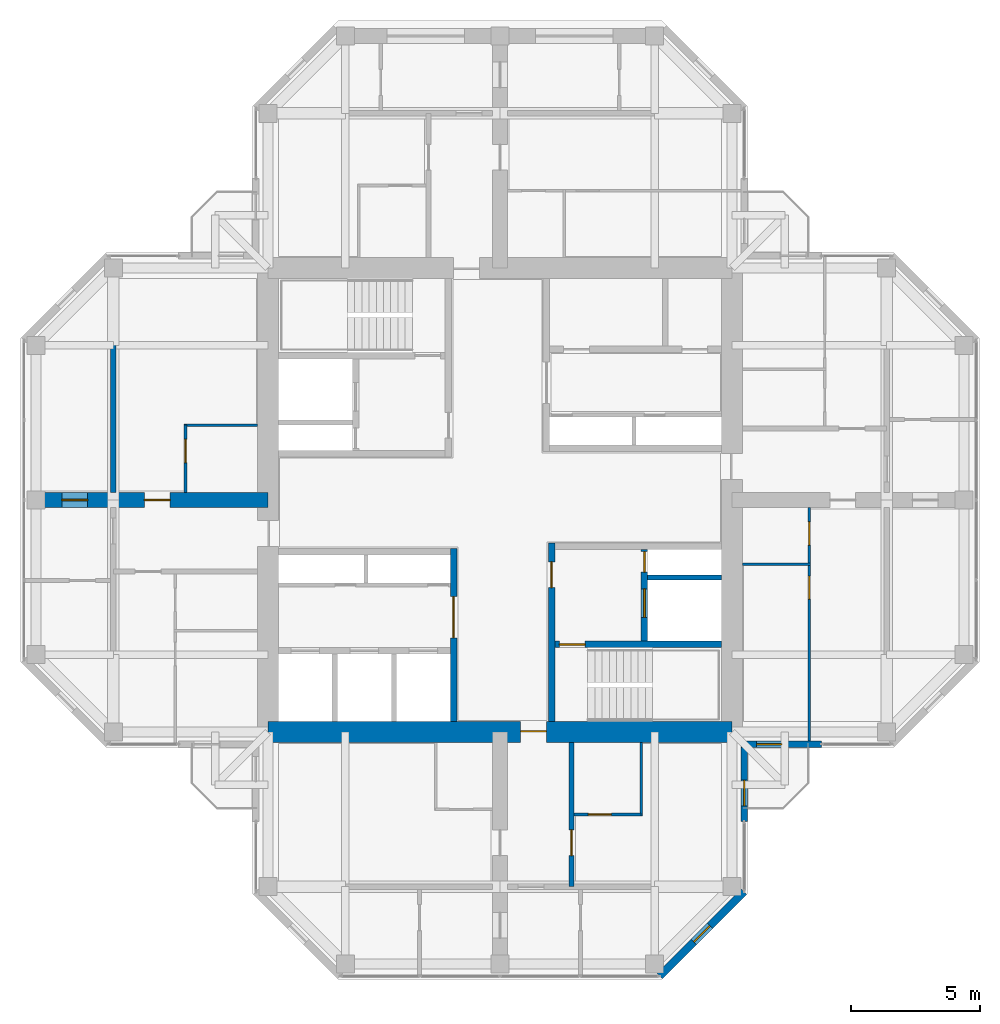
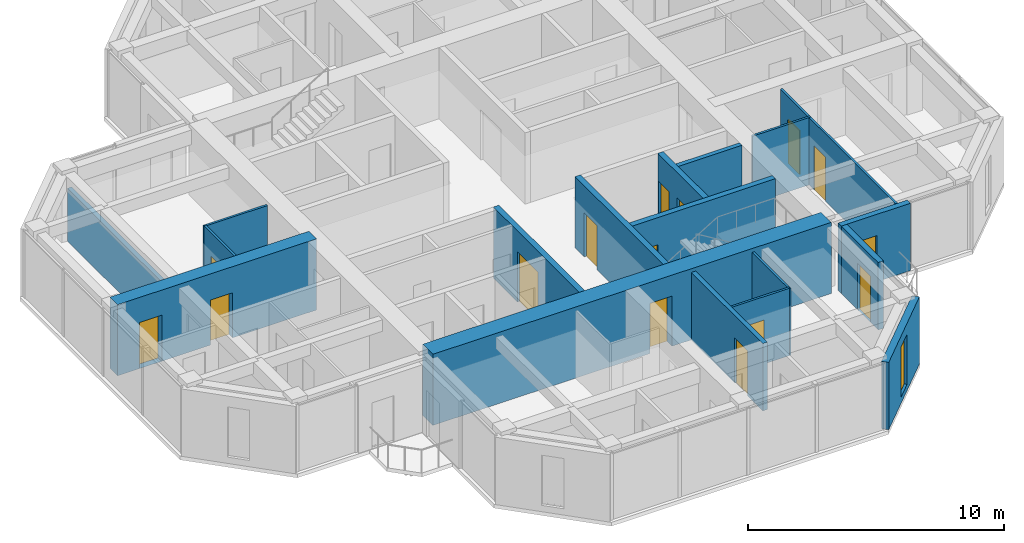
# One storey, part 9 of 13: 18 walls, 15 doors, 1 window, 16 openings.
"""IFC4 building model written with IfcOpenShell, lengths in metres."""

from ifc_helpers import new_model, si_unit, direction, frame, frame_2d, origin, place, context, subcontext, project, spatial, rectangle, hollow_rectangle, extrude, material, layer, layer_set, constituent, constituent_set, type_object, element, fill, save


model = new_model("IFC4")

# Units and contexts
model_context = context("Model", 3, precision=1e-05, world=origin(), true_north=direction((0.0, 1.0)))
body_context = subcontext(model_context, "Body", "Model", "MODEL_VIEW")
ifc_project = project(units=[si_unit("LENGTHUNIT", "METRE"), si_unit("AREAUNIT", "SQUARE_METRE"), si_unit("VOLUMEUNIT", "CUBIC_METRE"), si_unit("PLANEANGLEUNIT", "RADIAN"), si_unit("MASSUNIT", "GRAM", prefix="KILO")], contexts=[model_context])

# Site, building, storey
site_placement = place(None, origin())
site = spatial("IfcSite", under=ifc_project, at=site_placement, CompositionType="ELEMENT")
building_placement = place(site_placement, origin())
building = spatial("IfcBuilding", under=site, at=building_placement, Name="Torre Cruceta", CompositionType="ELEMENT")
storey_placement = place(building_placement, frame((0.0, 0.0, 281.5)))
storey = spatial("IfcBuildingStorey", under=building, at=storey_placement, Name="L73", CompositionType="ELEMENT", Elevation=281.5)

# Wall
ifc_material_1 = material(Name="Water-resistant plasterboard on steel studs", Category="steel")
ifc_layer_1 = layer(ifc_material_1, 0.10009765625)
ifc_layer_set_1 = layer_set([ifc_layer_1], Name="Water-resistant plasterboard on steel studs")
wall_type_1 = type_object("IfcWallType", Name="BATHROOM WALL 100", PredefinedType="PARTITIONING", material=ifc_layer_set_1)
wall_1_placement = place(storey_placement, frame((9.39990234375, -2.5, 0.0), z_axis=(0.0, 0.0, 1.0), x_axis=(1.0, 0.0, 0.0)))
element("IfcWall", 1, at=wall_1_placement, inside=storey, type_object=wall_type_1, Name="PT4 L73-E-U1RBB", PredefinedType="PARTITIONING", context=body_context, shape_type="SweptSolid", body=[
    extrude(rectangle(XDim=2.650146484375, YDim=0.10009765625, at=frame_2d((1.3251953125, 0.0))), origin(), (0.0, 0.0, 1.0), 3.219970703125),
])

# Wall, openings, doors
wall_2_placement = place(storey_placement, frame((12.0, -9.344970703125, 0.0), z_axis=(0.0, 0.0, 1.0), x_axis=(0.0, 1.0, 0.0)))
wall_2 = element("IfcWall", 2, at=wall_2_placement, inside=storey, type_object=wall_type_1, Name="PT4 L73-E-U1RBS", PredefinedType="PARTITIONING", context=body_context, shape_type="SweptSolid", body=[
    extrude(rectangle(XDim=9.044921875, YDim=0.10009765625, at=frame_2d((4.5224609375, 0.0))), origin(), (0.0, 0.0, 1.0), 3.219970703125),
])
opening_1_placement = place(wall_2_placement, frame((5.4951171875, 0.0, 0.0)))
opening_1 = element("IfcOpeningElement", 3, at=opening_1_placement, cuts=wall_2, Name="Opening D7", PredefinedType="OPENING", context=body_context, shape_type="SweptSolid", body=[
    extrude(rectangle(XDim=0.89990234375, YDim=2.10009765625, at=frame_2d((0.449951171875, 1.050048828125))), frame((0.0, 0.06005859375, 0.0), z_axis=(0.0, -1.0, 0.0), x_axis=(1.0, 0.0, 0.0)), (0.0, 0.0, 1.0), 0.1201171875),
])
opening_2_placement = place(wall_2_placement, frame((7.594970703125, 0.0, 0.0)))
opening_2 = element("IfcOpeningElement", 4, at=opening_2_placement, cuts=wall_2, Name="Opening D7", PredefinedType="OPENING", context=body_context, shape_type="SweptSolid", body=[
    extrude(rectangle(XDim=0.89990234375, YDim=2.10009765625, at=frame_2d((0.449951171875, 1.050048828125))), frame((0.0, 0.06005859375, 0.0), z_axis=(0.0, -1.0, 0.0), x_axis=(1.0, 0.0, 0.0)), (0.0, 0.0, 1.0), 0.1201171875),
])
ifc_material_2 = material(Name="Timber door", Category="wood")
door_type_1 = type_object("IfcDoorType", Name="BATHROOM DOOR 900X2100", OperationType="SINGLE_SWING_LEFT", PredefinedType="DOOR", material=ifc_material_2)
door_1_placement = place(opening_1_placement, origin())
door_1 = element("IfcDoor", 5, at=door_1_placement, inside=storey, type_object=door_type_1, Name="D7 L73-E-U1RBS-D1", OperationType="SINGLE_SWING_RIGHT", OverallHeight=2.10009765625, OverallWidth=0.89990234375, PredefinedType="DOOR", context=body_context, shape_type="SweptSolid", body=[
    extrude(rectangle(XDim=0.89990234375, YDim=2.10009765625, at=frame_2d((0.449951171875, 1.050048828125))), frame((0.0, 0.02490234375, 0.0), z_axis=(0.0, -1.0, 0.0), x_axis=(1.0, 0.0, 0.0)), (0.0, 0.0, 1.0), 0.050048828125),
])
fill(opening_1, door_1)
door_2_placement = place(opening_2_placement, origin())
door_2 = element("IfcDoor", 6, at=door_2_placement, inside=storey, type_object=door_type_1, Name="D7 L73-E-U1RBS-D2", OperationType="SINGLE_SWING_RIGHT", OverallHeight=2.10009765625, OverallWidth=0.89990234375, PredefinedType="DOOR", context=body_context, shape_type="SweptSolid", body=[
    extrude(rectangle(XDim=0.89990234375, YDim=2.10009765625, at=frame_2d((0.449951171875, 1.050048828125))), frame((0.0, 0.02490234375, 0.0), z_axis=(0.0, -1.0, 0.0), x_axis=(1.0, 0.0, 0.0)), (0.0, 0.0, 1.0), 0.050048828125),
])
fill(opening_2, door_2)

# Wall
wall_3_placement = place(storey_placement, frame((5.47509765625, -9.39990234375, 0.0), z_axis=(0.0, 0.0, 1.0), x_axis=(0.0, -1.0, 0.0)))
element("IfcWall", 7, at=wall_3_placement, inside=storey, type_object=wall_type_1, Name="PT4 L73-S-U1LBB", PredefinedType="PARTITIONING", context=body_context, shape_type="SweptSolid", body=[
    extrude(rectangle(XDim=2.85009765625, YDim=0.10009765625, at=frame_2d((1.425048828125, 0.0))), origin(), (0.0, 0.0, 1.0), 3.219970703125),
])

# Wall, opening, door
wall_4_placement = place(storey_placement, frame((2.875, -12.199951171875, 0.0), z_axis=(0.0, 0.0, 1.0), x_axis=(1.0, 0.0, 0.0)))
wall_4 = element("IfcWall", 8, at=wall_4_placement, inside=storey, type_object=wall_type_1, Name="PT4 L73-S-U1LBS", PredefinedType="PARTITIONING", context=body_context, shape_type="SweptSolid", body=[
    extrude(rectangle(XDim=2.60009765625, YDim=0.10009765625, at=frame_2d((1.300048828125, 0.0))), origin(), (0.0, 0.0, 1.0), 3.219970703125),
])
opening_3_placement = place(wall_4_placement, frame((0.550048828125, 0.0, 0.0)))
opening_3 = element("IfcOpeningElement", 9, at=opening_3_placement, cuts=wall_4, Name="Opening D7", PredefinedType="OPENING", context=body_context, shape_type="SweptSolid", body=[
    extrude(rectangle(XDim=0.89990234375, YDim=2.10009765625, at=frame_2d((0.449951171875, 1.050048828125))), frame((0.0, 0.06005859375, 0.0), z_axis=(0.0, -1.0, 0.0), x_axis=(1.0, 0.0, 0.0)), (0.0, 0.0, 1.0), 0.1201171875),
])
door_3_placement = place(opening_3_placement, origin())
door_3 = element("IfcDoor", 10, at=door_3_placement, inside=storey, type_object=door_type_1, Name="D7 L73-S-U1LBS-D1", OperationType="SINGLE_SWING_LEFT", OverallHeight=2.10009765625, OverallWidth=0.89990234375, PredefinedType="DOOR", context=body_context, shape_type="SweptSolid", body=[
    extrude(rectangle(XDim=0.89990234375, YDim=2.10009765625, at=frame_2d((0.449951171875, 1.050048828125))), frame((0.0, 0.02490234375, 0.0), z_axis=(0.0, -1.0, 0.0), x_axis=(1.0, 0.0, 0.0)), (0.0, 0.0, 1.0), 0.050048828125),
])
fill(opening_3, door_3)

# Wall
wall_5_placement = place(storey_placement, frame((-9.39990234375, 2.89990234375, 0.0), z_axis=(0.0, 0.0, 1.0), x_axis=(-1.0, 0.0, 0.0)))
element("IfcWall", 11, at=wall_5_placement, inside=storey, type_object=wall_type_1, Name="PT4 L73-W-U1RBB", PredefinedType="PARTITIONING", context=body_context, shape_type="SweptSolid", body=[
    extrude(rectangle(XDim=2.85009765625, YDim=0.10009765625, at=frame_2d((1.425048828125, 0.0))), origin(), (0.0, 0.0, 1.0), 3.219970703125),
])

# Wall, opening, door
wall_6_placement = place(storey_placement, frame((-12.199951171875, 2.89990234375, 0.0), z_axis=(0.0, 0.0, 1.0), x_axis=(0.0, -1.0, 0.0)))
wall_6 = element("IfcWall", 12, at=wall_6_placement, inside=storey, type_object=wall_type_1, Name="PT4 L73-W-U1RBS", PredefinedType="PARTITIONING", context=body_context, shape_type="SweptSolid", body=[
    extrude(rectangle(XDim=2.599853515625, YDim=0.10009765625, at=frame_2d((1.2998046875, 0.0))), origin(), (0.0, 0.0, 1.0), 3.219970703125),
])
opening_4_placement = place(wall_6_placement, frame((0.550048828125, 0.0, 0.0)))
opening_4 = element("IfcOpeningElement", 13, at=opening_4_placement, cuts=wall_6, Name="Opening D7", PredefinedType="OPENING", context=body_context, shape_type="SweptSolid", body=[
    extrude(rectangle(XDim=0.89990234375, YDim=2.10009765625, at=frame_2d((0.449951171875, 1.050048828125))), frame((0.0, 0.06005859375, 0.0), z_axis=(0.0, -1.0, 0.0), x_axis=(1.0, 0.0, 0.0)), (0.0, 0.0, 1.0), 0.1201171875),
])
door_4_placement = place(opening_4_placement, origin())
door_4 = element("IfcDoor", 14, at=door_4_placement, inside=storey, type_object=door_type_1, Name="D7 L73-W-U1RBS-D1", OperationType="SINGLE_SWING_LEFT", OverallHeight=2.10009765625, OverallWidth=0.89990234375, PredefinedType="DOOR", context=body_context, shape_type="SweptSolid", body=[
    extrude(rectangle(XDim=0.89990234375, YDim=2.10009765625, at=frame_2d((0.449951171875, 1.050048828125))), frame((0.0, 0.02490234375, 0.0), z_axis=(0.0, -1.0, 0.0), x_axis=(1.0, 0.0, 0.0)), (0.0, 0.0, 1.0), 0.050048828125),
])
fill(opening_4, door_4)

ifc_material_3 = material(Name="Concrete G60 (fck 60 MPa)", Category="concrete")
ifc_layer_2 = layer(ifc_material_3, 0.25)
ifc_layer_set_2 = layer_set([ifc_layer_2], Name="Concrete G60 (fck 60 MPa)")
wall_type_2 = type_object("IfcWallType", Name="CORE INNER WALL 250 G60", PredefinedType="SHEAR", material=ifc_layer_set_2)
wall_7_placement = place(storey_placement, frame((-1.800048828125, -1.875, 0.0), z_axis=(0.0, 0.0, 1.0), x_axis=(0.0, -1.0, 0.0)))
wall_7 = element("IfcWall", 15, at=wall_7_placement, inside=storey, type_object=wall_type_2, Name="CW4 L73 SW-CU", PredefinedType="SHEAR", context=body_context, shape_type="SweptSolid", body=[
    extrude(rectangle(XDim=6.72509765625, YDim=0.25, at=frame_2d((3.362548828125, 0.0))), origin(), (0.0, 0.0, 1.0), 3.39990234375),
])
opening_5_placement = place(wall_7_placement, frame((1.875, 0.0, 0.0)))
opening_5 = element("IfcOpeningElement", 16, at=opening_5_placement, cuts=wall_7, Name="Opening D8", PredefinedType="OPENING", context=body_context, shape_type="SweptSolid", body=[
    extrude(rectangle(XDim=1.60009765625, YDim=2.39990234375, at=frame_2d((0.800048828125, 1.199951171875))), frame((0.0, 0.135009765625, 0.0), z_axis=(0.0, -1.0, 0.0), x_axis=(1.0, 0.0, 0.0)), (0.0, 0.0, 1.0), 0.27001953125),
])
ifc_material_4 = material(Name="Steel DX51D", Category="steel")
ifc_constituent_1 = constituent(ifc_material_4, Name="Leaf and frame")
ifc_material_5 = material(Name="Polyester powder coating", Category="paint")
ifc_constituent_2 = constituent(ifc_material_5, Name="Finish")
ifc_material_6 = material(Name="Fire-resisting glass", Category="glass")
ifc_constituent_3 = constituent(ifc_material_6, Name="Vision panel")
ifc_constituent_set_1 = constituent_set(constituents=[ifc_constituent_1, ifc_constituent_2, ifc_constituent_3], Name="Steel fire door with vision panels")
door_type_2 = type_object("IfcDoorType", Name="LIFT LOBBY DOUBLE DOOR 1600X2400", OperationType="DOUBLE_DOOR_DOUBLE_SWING", PredefinedType="DOOR", material=ifc_constituent_set_1)
door_5_placement = place(opening_5_placement, origin())
door_5 = element("IfcDoor", 17, at=door_5_placement, inside=storey, type_object=door_type_2, Name="D8 L73 SW-LOBBY", OperationType="DOUBLE_DOOR_DOUBLE_SWING", OverallHeight=2.39990234375, OverallWidth=1.60009765625, PredefinedType="DOOR", context=body_context, shape_type="SweptSolid", body=[
    extrude(rectangle(XDim=1.60009765625, YDim=2.39990234375, at=frame_2d((0.800048828125, 1.199951171875))), frame((0.0, 0.02490234375, 0.0), z_axis=(0.0, -1.0, 0.0), x_axis=(1.0, 0.0, 0.0)), (0.0, 0.0, 1.0), 0.050048828125),
])
fill(opening_5, door_5)

wall_8_placement = place(storey_placement, frame((2.0, -1.675048828125, 0.0), z_axis=(0.0, 0.0, 1.0), x_axis=(0.0, -1.0, 0.0)))
wall_8 = element("IfcWall", 18, at=wall_8_placement, inside=storey, type_object=wall_type_2, Name="CW4 L73 SE-CU", PredefinedType="SHEAR", context=body_context, shape_type="SweptSolid", body=[
    extrude(rectangle(XDim=6.925048828125, YDim=0.25, at=frame_2d((3.46240234375, 0.0))), origin(), (0.0, 0.0, 1.0), 3.39990234375),
])
opening_6_placement = place(wall_8_placement, frame((0.72509765625, 0.0, 0.0)))
opening_6 = element("IfcOpeningElement", 19, at=opening_6_placement, cuts=wall_8, Name="Opening D3", PredefinedType="OPENING", context=body_context, shape_type="SweptSolid", body=[
    extrude(rectangle(XDim=1.0, YDim=2.10009765625, at=frame_2d((0.5, 1.050048828125))), frame((0.0, 0.135009765625, 0.0), z_axis=(0.0, -1.0, 0.0), x_axis=(1.0, 0.0, 0.0)), (0.0, 0.0, 1.0), 0.27001953125),
])
ifc_material_7 = material(Name="Steel DX51D", Category="steel")
ifc_constituent_4 = constituent(ifc_material_7, Name="Leaf and frame")
ifc_material_8 = material(Name="Polyester powder coating", Category="paint")
ifc_constituent_5 = constituent(ifc_material_8, Name="Finish")
ifc_constituent_set_2 = constituent_set(constituents=[ifc_constituent_4, ifc_constituent_5], Name="Steel fire door")
door_type_3 = type_object("IfcDoorType", Name="FIRE DOOR 1000X2100", OperationType="SINGLE_SWING_LEFT", PredefinedType="DOOR", material=ifc_constituent_set_2)
door_6_placement = place(opening_6_placement, origin())
door_6 = element("IfcDoor", 20, at=door_6_placement, inside=storey, type_object=door_type_3, Name="D3 L73 SE-LOBBY", OperationType="SINGLE_SWING_LEFT", OverallHeight=2.10009765625, OverallWidth=1.0, PredefinedType="DOOR", context=body_context, shape_type="SweptSolid", body=[
    extrude(rectangle(XDim=1.0, YDim=2.10009765625, at=frame_2d((0.5, 1.050048828125))), frame((0.0, 0.02490234375, 0.0), z_axis=(0.0, -1.0, 0.0), x_axis=(1.0, 0.0, 0.0)), (0.0, 0.0, 1.0), 0.050048828125),
])
fill(opening_6, door_6)

wall_9_placement = place(storey_placement, frame((2.125, -5.60009765625, 0.0), z_axis=(0.0, 0.0, 1.0), x_axis=(1.0, 0.0, 0.0)))
wall_9 = element("IfcWall", 21, at=wall_9_placement, inside=storey, type_object=wall_type_2, Name="CW4 L73 SE-SV", PredefinedType="SHEAR", context=body_context, shape_type="SweptSolid", body=[
    extrude(rectangle(XDim=6.47509765625, YDim=0.25, at=frame_2d((3.237548828125, 0.0))), origin(), (0.0, 0.0, 1.0), 3.39990234375),
])
opening_7_placement = place(wall_9_placement, frame((0.175048828125, 0.0, 0.0)))
opening_7 = element("IfcOpeningElement", 22, at=opening_7_placement, cuts=wall_9, Name="Opening D3", PredefinedType="OPENING", context=body_context, shape_type="SweptSolid", body=[
    extrude(rectangle(XDim=1.0, YDim=2.10009765625, at=frame_2d((0.5, 1.050048828125))), frame((0.0, 0.135009765625, 0.0), z_axis=(0.0, -1.0, 0.0), x_axis=(1.0, 0.0, 0.0)), (0.0, 0.0, 1.0), 0.27001953125),
])
door_7_placement = place(opening_7_placement, frame((1.0, 0.0, 0.0), z_axis=(0.0, 0.0, 1.0), x_axis=(-1.0, 0.0, 0.0)))
door_7 = element("IfcDoor", 23, at=door_7_placement, inside=storey, type_object=door_type_3, Name="D3 L73 SE-STAIR", OperationType="SINGLE_SWING_RIGHT", OverallHeight=2.10009765625, OverallWidth=1.0, PredefinedType="DOOR", context=body_context, shape_type="SweptSolid", body=[
    extrude(rectangle(XDim=1.0, YDim=2.10009765625, at=frame_2d((0.5, 1.050048828125))), frame((0.0, 0.025146484375, 0.0), z_axis=(0.0, -1.0, 0.0), x_axis=(1.0, 0.0, 0.0)), (0.0, 0.0, 1.0), 0.050048828125),
])
fill(opening_7, door_7)

# Wall, openings, doors
wall_10_placement = place(storey_placement, frame((5.60009765625, -1.925048828125, 0.0), z_axis=(0.0, 0.0, 1.0), x_axis=(0.0, -1.0, 0.0)))
wall_10 = element("IfcWall", 24, at=wall_10_placement, inside=storey, type_object=wall_type_2, Name="CW4 L73 SE-FU", PredefinedType="SHEAR", context=body_context, shape_type="SweptSolid", body=[
    extrude(rectangle(XDim=3.550048828125, YDim=0.25, at=frame_2d((1.77490234375, 0.0))), origin(), (0.0, 0.0, 1.0), 3.39990234375),
])
opening_8_placement = place(wall_10_placement, frame((1.52490234375, 0.0, 0.0)))
opening_8 = element("IfcOpeningElement", 25, at=opening_8_placement, cuts=wall_10, Name="Opening LD1", PredefinedType="OPENING", context=body_context, shape_type="SweptSolid", body=[
    extrude(rectangle(XDim=1.10009765625, YDim=2.199951171875, at=frame_2d((0.550048828125, 1.10009765625))), frame((0.0, 0.135009765625, 0.0), z_axis=(0.0, -1.0, 0.0), x_axis=(1.0, 0.0, 0.0)), (0.0, 0.0, 1.0), 0.27001953125),
])
opening_9_placement = place(wall_10_placement, frame((0.074951171875, 0.0, 0.0)))
opening_9 = element("IfcOpeningElement", 26, at=opening_9_placement, cuts=wall_10, Name="Opening D5", PredefinedType="OPENING", context=body_context, shape_type="SweptSolid", body=[
    extrude(rectangle(XDim=0.800048828125, YDim=2.10009765625, at=frame_2d((0.39990234375, 1.050048828125))), frame((0.0, 0.135009765625, 0.0), z_axis=(0.0, -1.0, 0.0), x_axis=(1.0, 0.0, 0.0)), (0.0, 0.0, 1.0), 0.27001953125),
])
ifc_material_9 = material(Name="Stainless steel 1.4401", Category="steel")
door_type_4 = type_object("IfcDoorType", Name="LIFT LANDING DOOR 1100X2200", OperationType="DOUBLE_DOOR_SLIDING", PredefinedType="DOOR", material=ifc_material_9)
door_8_placement = place(opening_8_placement, origin())
door_8 = element("IfcDoor", 27, at=door_8_placement, inside=storey, type_object=door_type_4, Name="Lift landing door FL2", OperationType="DOUBLE_DOOR_SLIDING", OverallHeight=2.199951171875, OverallWidth=1.10009765625, PredefinedType="DOOR", context=body_context, shape_type="SweptSolid", body=[
    extrude(rectangle(XDim=1.10009765625, YDim=2.199951171875, at=frame_2d((0.550048828125, 1.10009765625))), frame((0.0, 0.02490234375, 0.0), z_axis=(0.0, -1.0, 0.0), x_axis=(1.0, 0.0, 0.0)), (0.0, 0.0, 1.0), 0.050048828125),
])
fill(opening_8, door_8)
ifc_material_10 = material(Name="Steel DX51D", Category="steel")
ifc_constituent_6 = constituent(ifc_material_10, Name="Leaf and frame")
ifc_material_11 = material(Name="Polyester powder coating", Category="paint")
ifc_constituent_7 = constituent(ifc_material_11, Name="Finish")
ifc_constituent_set_3 = constituent_set(constituents=[ifc_constituent_6, ifc_constituent_7], Name="Steel fire door")
door_type_5 = type_object("IfcDoorType", Name="RISER ACCESS DOOR 800X2100", OperationType="SINGLE_SWING_LEFT", PredefinedType="DOOR", material=ifc_constituent_set_3)
door_9_placement = place(opening_9_placement, origin())
door_9 = element("IfcDoor", 28, at=door_9_placement, inside=storey, type_object=door_type_5, Name="D5 L73 SE-RISER", OperationType="SINGLE_SWING_LEFT", OverallHeight=2.10009765625, OverallWidth=0.800048828125, PredefinedType="DOOR", context=body_context, shape_type="SweptSolid", body=[
    extrude(rectangle(XDim=0.800048828125, YDim=2.10009765625, at=frame_2d((0.39990234375, 1.050048828125))), frame((0.0, 0.02490234375, 0.0), z_axis=(0.0, -1.0, 0.0), x_axis=(1.0, 0.0, 0.0)), (0.0, 0.0, 1.0), 0.050048828125),
])
fill(opening_9, door_9)

# Wall, opening, door
ifc_material_12 = material(Name="Concrete G60 (fck 60 MPa)", Category="concrete")
ifc_layer_3 = layer(ifc_material_12, 0.800048828125)
ifc_layer_set_3 = layer_set([ifc_layer_3], Name="Concrete G60 (fck 60 MPa)")
wall_type_3 = type_object("IfcWallType", Name="CORE WALL 800 G60", PredefinedType="SHEAR", material=ifc_layer_set_3)
wall_11_placement = place(storey_placement, frame((-9.0, -9.0, 0.0), z_axis=(0.0, 0.0, 1.0), x_axis=(1.0, 0.0, 0.0)))
wall_11 = element("IfcWall", 29, at=wall_11_placement, inside=storey, type_object=wall_type_3, Name="CW3 L73 CW-S", PredefinedType="SHEAR", context=body_context, shape_type="SweptSolid", body=[
    extrude(rectangle(XDim=18.0, YDim=0.800048828125, at=frame_2d((9.0, 0.0))), origin(), (0.0, 0.0, 1.0), 3.39990234375),
])
opening_10_placement = place(wall_11_placement, frame((9.800048828125, 0.0, 0.0)))
opening_10 = element("IfcOpeningElement", 30, at=opening_10_placement, cuts=wall_11, Name="Opening D4", PredefinedType="OPENING", context=body_context, shape_type="SweptSolid", body=[
    extrude(rectangle(XDim=1.0, YDim=2.39990234375, at=frame_2d((0.5, 1.199951171875))), frame((0.0, 0.409912109375, 0.0), z_axis=(0.0, -1.0, 0.0), x_axis=(1.0, 0.0, 0.0)), (0.0, 0.0, 1.0), 0.820068359375),
])
ifc_material_13 = material(Name="Steel DX51D", Category="steel")
ifc_constituent_8 = constituent(ifc_material_13, Name="Leaf and frame")
ifc_material_14 = material(Name="Polyester powder coating", Category="paint")
ifc_constituent_9 = constituent(ifc_material_14, Name="Finish")
ifc_constituent_set_4 = constituent_set(constituents=[ifc_constituent_8, ifc_constituent_9], Name="Steel fire door")
door_type_6 = type_object("IfcDoorType", Name="CORE ARM DOOR 1000X2400", OperationType="SINGLE_SWING_RIGHT", PredefinedType="DOOR", material=ifc_constituent_set_4)
door_10_placement = place(opening_10_placement, origin())
door_10 = element("IfcDoor", 31, at=door_10_placement, inside=storey, type_object=door_type_6, Name="D4 L73 CW-S", OperationType="SINGLE_SWING_RIGHT", OverallHeight=2.39990234375, OverallWidth=1.0, PredefinedType="DOOR", context=body_context, shape_type="SweptSolid", body=[
    extrude(rectangle(XDim=1.0, YDim=2.39990234375, at=frame_2d((0.5, 1.199951171875))), frame((0.0, 0.05517578125, 0.0), z_axis=(0.0, -1.0, 0.0), x_axis=(1.0, 0.0, 0.0)), (0.0, 0.0, 1.0), 0.050048828125),
])
fill(opening_10, door_10)

ifc_material_15 = material(Name="Concrete G25 (fck 25 MPa)", Category="concrete")
ifc_layer_4 = layer(ifc_material_15, 0.199951171875)
ifc_layer_set_4 = layer_set([ifc_layer_4], Name="Concrete G25 (fck 25 MPa)")
wall_type_4 = type_object("IfcWallType", Name="CORRIDOR WALL 200", PredefinedType="SOLIDWALL", material=ifc_layer_set_4)
wall_12_placement = place(storey_placement, frame((2.77490234375, -9.39990234375, 0.0), z_axis=(0.0, 0.0, 1.0), x_axis=(0.0, -1.0, 0.0)))
wall_12 = element("IfcWall", 32, at=wall_12_placement, inside=storey, type_object=wall_type_4, Name="PT3 L73-S-CL", PredefinedType="SOLIDWALL", context=body_context, shape_type="SweptSolid", body=[
    extrude(rectangle(XDim=5.60009765625, YDim=0.199951171875, at=frame_2d((2.800048828125, 0.0))), origin(), (0.0, 0.0, 1.0), 3.219970703125),
])
opening_11_placement = place(wall_12_placement, frame((3.39990234375, 0.0, 0.0)))
opening_11 = element("IfcOpeningElement", 33, at=opening_11_placement, cuts=wall_12, Name="Opening D6", PredefinedType="OPENING", context=body_context, shape_type="SweptSolid", body=[
    extrude(rectangle(XDim=1.0, YDim=2.14990234375, at=frame_2d((0.5, 1.074951171875))), frame((0.0, 0.10986328125, 0.0), z_axis=(0.0, -1.0, 0.0), x_axis=(1.0, 0.0, 0.0)), (0.0, 0.0, 1.0), 0.219970703125),
])
ifc_material_16 = material(Name="Timber fire door", Category="wood")
door_type_7 = type_object("IfcDoorType", Name="UNIT ENTRANCE DOOR 1000X2150", OperationType="SINGLE_SWING_LEFT", PredefinedType="DOOR", material=ifc_material_16)
door_11_placement = place(opening_11_placement, origin())
door_11 = element("IfcDoor", 34, at=door_11_placement, inside=storey, type_object=door_type_7, Name="D6 L73-S-CL-D1", OperationType="SINGLE_SWING_LEFT", OverallHeight=2.14990234375, OverallWidth=1.0, PredefinedType="DOOR", context=body_context, shape_type="SweptSolid", body=[
    extrude(rectangle(XDim=1.0, YDim=2.14990234375, at=frame_2d((0.5, 1.074951171875))), frame((0.0, 0.02490234375, 0.0), z_axis=(0.0, -1.0, 0.0), x_axis=(1.0, 0.0, 0.0)), (0.0, 0.0, 1.0), 0.050048828125),
])
fill(opening_11, door_11)

# Wall, opening, window
ifc_material_17 = material(Name="Concrete G30 (fck 30 MPa)", Category="concrete")
ifc_layer_5 = layer(ifc_material_17, 0.300048828125)
ifc_layer_set_5 = layer_set([ifc_layer_5], Name="Concrete G30 (fck 30 MPa)")
wall_type_5 = type_object("IfcWallType", Name="EXPOSED CONCRETE FACADE WALL 300", PredefinedType="SOLIDWALL", material=ifc_layer_set_5)
wall_13_placement = place(storey_placement, frame((6.194580078125, -18.469970703125, 0.0), z_axis=(0.0, 0.0, 1.0), x_axis=(0.707106781187, 0.707106781187, 0.0)))
wall_13 = element("IfcWall", 35, at=wall_13_placement, inside=storey, type_object=wall_type_5, Name="EW1 facade wall L73 S chamfer 18", PredefinedType="SOLIDWALL", context=body_context, shape_type="SweptSolid", body=[
    extrude(rectangle(XDim=4.632080078125, YDim=0.300048828125, at=frame_2d((2.31591796875, 0.0))), origin(), (0.0, 0.0, 1.0), 3.219970703125),
])
opening_12_placement = place(wall_13_placement, frame((1.865966796875, 0.0, 0.300048828125)))
opening_12 = element("IfcOpeningElement", 36, at=opening_12_placement, cuts=wall_13, Name="Opening WN5", PredefinedType="OPENING", context=body_context, shape_type="SweptSolid", body=[
    extrude(rectangle(XDim=0.89990234375, YDim=2.39990234375, at=frame_2d((0.449951171875, 1.199951171875))), frame((0.0, 0.159912109375, 0.0), z_axis=(0.0, -1.0, 0.0), x_axis=(1.0, 0.0, 0.0)), (0.0, 0.0, 1.0), 0.320068359375),
])
ifc_material_18 = material(Name="Aluminium window frame", Category="aluminium")
ifc_constituent_10 = constituent(ifc_material_18, Name="Frame")
ifc_material_19 = material(Name="Laminated insulating glass unit, low-iron clear", Category="glass")
ifc_constituent_11 = constituent(ifc_material_19, Name="Glazing")
ifc_constituent_set_5 = constituent_set(constituents=[ifc_constituent_10, ifc_constituent_11], Name="Aluminium window")
window_type = type_object("IfcWindowType", Name="CHAMFER SLOT WINDOW 900X2400", PartitioningType="SINGLE_PANEL", PredefinedType="WINDOW", material=ifc_constituent_set_5)
window_placement = place(opening_12_placement, origin())
window = element("IfcWindow", 37, at=window_placement, inside=storey, type_object=window_type, Name="WN5 L73 S 1", OverallHeight=2.39990234375, OverallWidth=0.89990234375, PartitioningType="SINGLE_PANEL", PredefinedType="WINDOW", context=body_context, shape_type="SweptSolid", body=[
    extrude(hollow_rectangle(XDim=0.89990234375, YDim=2.39990234375, WallThickness=0.06005859375, at=frame_2d((0.449951171875, 1.199951171875))), frame((0.0, 0.030029296875, 0.0), z_axis=(0.0, -1.0, 0.0), x_axis=(1.0, 0.0, 0.0)), (0.0, 0.0, 1.0), 0.06005859375),
    extrude(rectangle(XDim=0.77880859375, YDim=2.27880859375, at=frame_2d((0.449951171875, 1.199951171875))), frame((0.0, 0.030029296875, 0.0), z_axis=(0.0, -1.0, 0.0), x_axis=(1.0, 0.0, 0.0)), (0.0, 0.0, 1.0), 0.06005859375),
])
fill(opening_12, window)

# Wall
ifc_material_20 = material(Name="Concrete G35 (fck 35 MPa)", Category="concrete")
ifc_layer_6 = layer(ifc_material_20, 0.199951171875)
ifc_layer_set_6 = layer_set([ifc_layer_6], Name="Concrete G35 (fck 35 MPa)")
wall_type_6 = type_object("IfcWallType", Name="LIFT SHAFT WALL 200", PredefinedType="PARTITIONING", material=ifc_layer_set_6)
wall_14_placement = place(storey_placement, frame((5.72509765625, -3.0, 0.0), z_axis=(0.0, 0.0, 1.0), x_axis=(1.0, 0.0, 0.0)))
element("IfcWall", 38, at=wall_14_placement, inside=storey, type_object=wall_type_6, Name="SW1 L73 SE-FR", PredefinedType="PARTITIONING", context=body_context, shape_type="SweptSolid", body=[
    extrude(rectangle(XDim=2.875, YDim=0.199951171875, at=frame_2d((1.4375, 0.0))), origin(), (0.0, 0.0, 1.0), 3.39990234375),
])

# Wall, openings, doors
ifc_material_21 = material(Name="Concrete G60 (fck 60 MPa)", Category="concrete")
ifc_layer_7 = layer(ifc_material_21, 0.60009765625)
ifc_layer_set_7 = layer_set([ifc_layer_7], Name="Concrete G60 (fck 60 MPa)")
wall_type_7 = type_object("IfcWallType", Name="SPINE WALL 600 G60", PredefinedType="SHEAR", material=ifc_layer_set_7)
wall_15_placement = place(storey_placement, frame((-9.0, 0.0, 0.0), z_axis=(0.0, 0.0, 1.0), x_axis=(-1.0, 0.0, 0.0)))
wall_15 = element("IfcWall", 39, at=wall_15_placement, inside=storey, type_object=wall_type_7, Name="SW5 spine wall L73 W", PredefinedType="SHEAR", context=body_context, shape_type="SweptSolid", body=[
    extrude(rectangle(XDim=9.0, YDim=0.60009765625, at=frame_2d((4.5, 0.0))), origin(), (0.0, 0.0, 1.0), 3.39990234375),
])
opening_13_placement = place(wall_15_placement, frame((3.800048828125, 0.0, 0.0)))
opening_13 = element("IfcOpeningElement", 40, at=opening_13_placement, cuts=wall_15, Name="Opening D6", PredefinedType="OPENING", context=body_context, shape_type="SweptSolid", body=[
    extrude(rectangle(XDim=1.0, YDim=2.14990234375, at=frame_2d((0.5, 1.074951171875))), frame((0.0, 0.31005859375, 0.0), z_axis=(0.0, -1.0, 0.0), x_axis=(1.0, 0.0, 0.0)), (0.0, 0.0, 1.0), 0.6201171875),
])
opening_14_placement = place(wall_15_placement, frame((7.0, 0.0, 0.0)))
opening_14 = element("IfcOpeningElement", 41, at=opening_14_placement, cuts=wall_15, Name="Opening D14", PredefinedType="OPENING", context=body_context, shape_type="SweptSolid", body=[
    extrude(rectangle(XDim=1.0, YDim=2.199951171875, at=frame_2d((0.5, 1.10009765625))), frame((0.0, 0.31005859375, 0.0), z_axis=(0.0, -1.0, 0.0), x_axis=(1.0, 0.0, 0.0)), (0.0, 0.0, 1.0), 0.6201171875),
])
ifc_material_22 = material(Name="Steel DX51D", Category="steel")
ifc_constituent_12 = constituent(ifc_material_22, Name="Leaf and frame")
ifc_material_23 = material(Name="Polyester powder coating", Category="paint")
ifc_constituent_13 = constituent(ifc_material_23, Name="Finish")
ifc_material_24 = material(Name="Fire-resisting glass", Category="glass")
ifc_constituent_14 = constituent(ifc_material_24, Name="Vision panel")
ifc_constituent_set_6 = constituent_set(constituents=[ifc_constituent_12, ifc_constituent_13, ifc_constituent_14], Name="Steel fire door with vision panel")
door_type_8 = type_object("IfcDoorType", Name="FIRE DOOR VISION PANEL 1000X2200", OperationType="SINGLE_SWING_RIGHT", PredefinedType="DOOR", material=ifc_constituent_set_6)
door_12_placement = place(opening_14_placement, origin())
door_12 = element("IfcDoor", 42, at=door_12_placement, inside=storey, type_object=door_type_8, Name="D14 L73-W-SP2", OperationType="SINGLE_SWING_LEFT", OverallHeight=2.199951171875, OverallWidth=1.0, PredefinedType="DOOR", context=body_context, shape_type="SweptSolid", body=[
    extrude(rectangle(XDim=1.0, YDim=2.199951171875, at=frame_2d((0.5, 1.10009765625))), frame((0.0, 0.02490234375, 0.0), z_axis=(0.0, -1.0, 0.0), x_axis=(1.0, 0.0, 0.0)), (0.0, 0.0, 1.0), 0.050048828125),
])
fill(opening_14, door_12)
door_13_placement = place(opening_13_placement, frame((1.0, 0.0, 0.0), z_axis=(0.0, 0.0, 1.0), x_axis=(-1.0, 0.0, 0.0)))
door_13 = element("IfcDoor", 43, at=door_13_placement, inside=storey, type_object=door_type_7, Name="D6 L73-W-SP1", OperationType="SINGLE_SWING_RIGHT", OverallHeight=2.14990234375, OverallWidth=1.0, PredefinedType="DOOR", context=body_context, shape_type="SweptSolid", body=[
    extrude(rectangle(XDim=1.0, YDim=2.14990234375, at=frame_2d((0.5, 1.074951171875))), frame((0.0, 0.025146484375, 0.0), z_axis=(0.0, -1.0, 0.0), x_axis=(1.0, 0.0, 0.0)), (0.0, 0.0, 1.0), 0.050048828125),
])
fill(opening_13, door_13)

# Wall
ifc_material_25 = material(Name="Concrete G25 (fck 25 MPa)", Category="concrete")
ifc_layer_8 = layer(ifc_material_25, 0.199951171875)
ifc_layer_set_8 = layer_set([ifc_layer_8], Name="Concrete G25 (fck 25 MPa)")
wall_type_8 = type_object("IfcWallType", Name="UNIT SEPARATING WALL 200", PredefinedType="SOLIDWALL", material=ifc_layer_set_8)
wall_16_placement = place(storey_placement, frame((-15.0, 8.64990234375, 0.0), z_axis=(0.0, 0.0, 1.0), x_axis=(0.0, -1.0, 0.0)))
element("IfcWall", 44, at=wall_16_placement, inside=storey, type_object=wall_type_8, Name="PT2 L73-W-ENDa", PredefinedType="SOLIDWALL", context=body_context, shape_type="SweptSolid", body=[
    extrude(rectangle(XDim=8.349853515625, YDim=0.199951171875, at=frame_2d((4.1748046875, 0.0))), origin(), (0.0, 0.0, 1.0), 2.52001953125),
])

# Wall, opening, door
ifc_material_26 = material(Name="Concrete G30 (fck 30 MPa)", Category="concrete")
ifc_layer_9 = layer(ifc_material_26, 0.25)
ifc_layer_set_9 = layer_set([ifc_layer_9], Name="Concrete G30 (fck 30 MPa)")
wall_type_9 = type_object("IfcWallType", Name="WINTER GARDEN WALL 250", PredefinedType="SOLIDWALL", material=ifc_layer_set_9)
wall_17_placement = place(storey_placement, frame((9.344970703125, -9.469970703125, 0.0), z_axis=(0.0, 0.0, 1.0), x_axis=(1.0, 0.0, 0.0)))
wall_17 = element("IfcWall", 45, at=wall_17_placement, inside=storey, type_object=wall_type_9, Name="EW2 winter garden wall L73 00", PredefinedType="SOLIDWALL", context=body_context, shape_type="SweptSolid", body=[
    extrude(rectangle(XDim=3.125, YDim=0.25, at=frame_2d((1.5625, 0.0))), origin(), (0.0, 0.0, 1.0), 3.219970703125),
])
opening_15_placement = place(wall_17_placement, frame((0.60009765625, 0.0, 0.0)))
opening_15 = element("IfcOpeningElement", 46, at=opening_15_placement, cuts=wall_17, Name="Opening D10", PredefinedType="OPENING", context=body_context, shape_type="SweptSolid", body=[
    extrude(rectangle(XDim=1.0, YDim=2.199951171875, at=frame_2d((0.5, 1.10009765625))), frame((0.0, 0.135009765625, 0.0), z_axis=(0.0, -1.0, 0.0), x_axis=(1.0, 0.0, 0.0)), (0.0, 0.0, 1.0), 0.27001953125),
])
ifc_material_27 = material(Name="Aluminium door frame", Category="aluminium")
ifc_constituent_15 = constituent(ifc_material_27, Name="Frame")
ifc_material_28 = material(Name="Laminated safety glass", Category="glass")
ifc_constituent_16 = constituent(ifc_material_28, Name="Glazing")
ifc_constituent_set_7 = constituent_set(constituents=[ifc_constituent_15, ifc_constituent_16], Name="Aluminium glazed door")
door_type_9 = type_object("IfcDoorType", Name="BALCONY DOOR 1000X2200", OperationType="SINGLE_SWING_RIGHT", PredefinedType="DOOR", material=ifc_constituent_set_7)
door_14_placement = place(opening_15_placement, origin())
door_14 = element("IfcDoor", 47, at=door_14_placement, inside=storey, type_object=door_type_9, Name="D10 balcony door L73 00", OperationType="SINGLE_SWING_LEFT", OverallHeight=2.199951171875, OverallWidth=1.0, PredefinedType="DOOR", context=body_context, shape_type="SweptSolid", body=[
    extrude(hollow_rectangle(XDim=1.0, YDim=2.199951171875, WallThickness=0.06005859375, at=frame_2d((0.5, 1.10009765625))), frame((0.0, 0.02490234375, 0.0), z_axis=(0.0, -1.0, 0.0), x_axis=(1.0, 0.0, 0.0)), (0.0, 0.0, 1.0), 0.050048828125),
    extrude(rectangle(XDim=0.87890625, YDim=2.078857421875, at=frame_2d((0.5, 1.10009765625))), frame((0.0, 0.02490234375, 0.0), z_axis=(0.0, -1.0, 0.0), x_axis=(1.0, 0.0, 0.0)), (0.0, 0.0, 1.0), 0.050048828125),
])
fill(opening_15, door_14)

wall_18_placement = place(storey_placement, frame((9.469970703125, -12.469970703125, 0.0), z_axis=(0.0, 0.0, 1.0), x_axis=(0.0, 1.0, 0.0)))
wall_18 = element("IfcWall", 48, at=wall_18_placement, inside=storey, type_object=wall_type_9, Name="EW2 winter garden wall L73 19", PredefinedType="SOLIDWALL", context=body_context, shape_type="SweptSolid", body=[
    extrude(rectangle(XDim=2.875, YDim=0.25, at=frame_2d((1.4375, 0.0))), origin(), (0.0, 0.0, 1.0), 3.219970703125),
])
opening_16_placement = place(wall_18_placement, frame((0.60009765625, 0.0, 0.0)))
opening_16 = element("IfcOpeningElement", 49, at=opening_16_placement, cuts=wall_18, Name="Opening D10", PredefinedType="OPENING", context=body_context, shape_type="SweptSolid", body=[
    extrude(rectangle(XDim=1.0, YDim=2.199951171875, at=frame_2d((0.5, 1.10009765625))), frame((0.0, 0.135009765625, 0.0), z_axis=(0.0, -1.0, 0.0), x_axis=(1.0, 0.0, 0.0)), (0.0, 0.0, 1.0), 0.27001953125),
])
door_15_placement = place(opening_16_placement, origin())
door_15 = element("IfcDoor", 50, at=door_15_placement, inside=storey, type_object=door_type_9, Name="D10 balcony door L73 19", OperationType="SINGLE_SWING_RIGHT", OverallHeight=2.199951171875, OverallWidth=1.0, PredefinedType="DOOR", context=body_context, shape_type="SweptSolid", body=[
    extrude(hollow_rectangle(XDim=1.0, YDim=2.199951171875, WallThickness=0.06005859375, at=frame_2d((0.5, 1.10009765625))), frame((0.0, 0.02490234375, 0.0), z_axis=(0.0, -1.0, 0.0), x_axis=(1.0, 0.0, 0.0)), (0.0, 0.0, 1.0), 0.050048828125),
    extrude(rectangle(XDim=0.87890625, YDim=2.078857421875, at=frame_2d((0.5, 1.10009765625))), frame((0.0, 0.02490234375, 0.0), z_axis=(0.0, -1.0, 0.0), x_axis=(1.0, 0.0, 0.0)), (0.0, 0.0, 1.0), 0.050048828125),
])
fill(opening_16, door_15)

save(model, "model.ifc")
